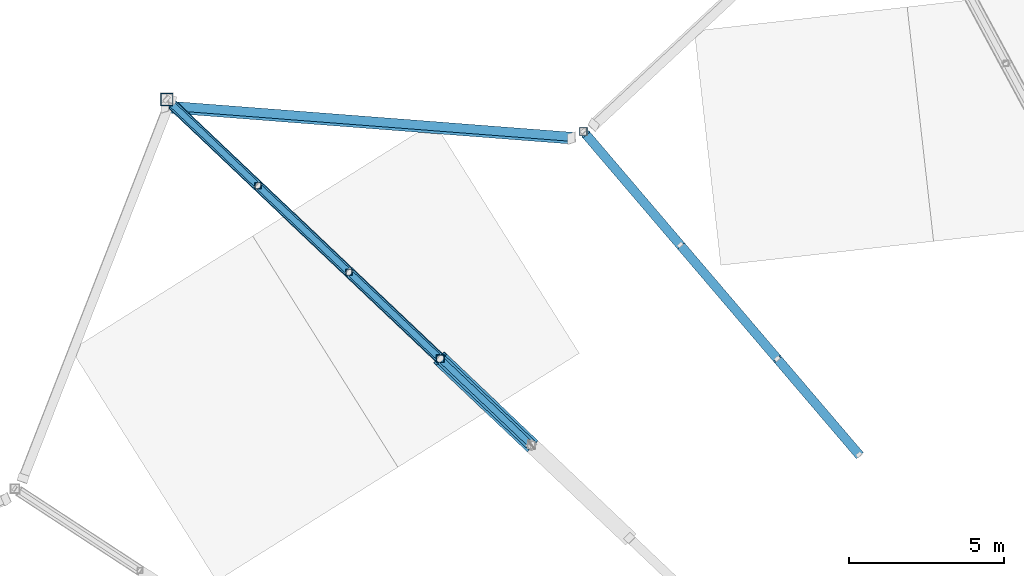
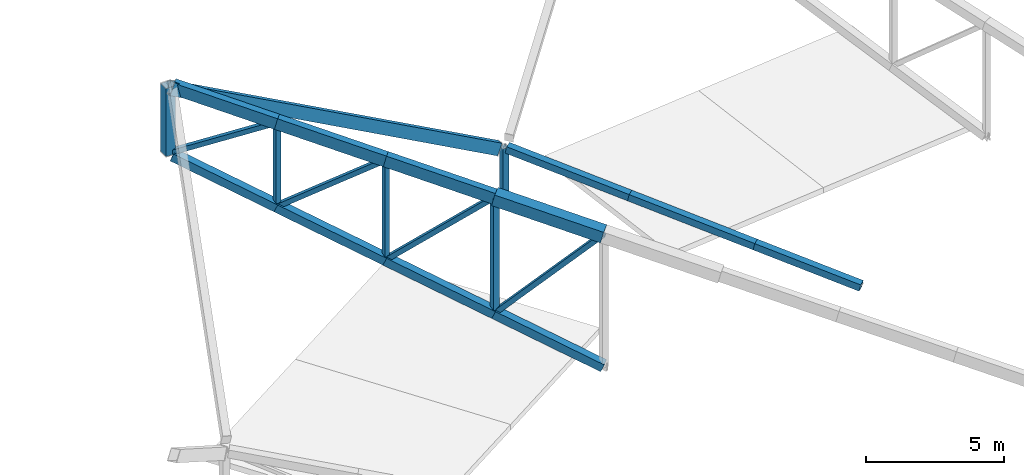
# One storey, part 76 of 188: 20 members, 1 beam.
"""IFC4 building model written with IfcOpenShell, lengths in metres."""

import ifcopenshell
import ifcopenshell.guid

model = None  # the IFC model being written
_history = None  # IfcOwnerHistory: only IFC2X3 demands one
_inside = {}  # id of a spatial element -> (the spatial element, [elements in it])
_under = {}  # id of a project, library or spatial element -> (it, [spatial elements below it])
_declared = {}  # id of a project -> (the project, [libraries it declares])
_typed = {}  # id of a type object -> (the type object, [elements of that type])
_made_of = {}  # id of a material, layer set ... -> (it, [elements and type objects made of it])


def new_model(schema):
    """Start an empty IFC model of exactly this schema.

    Asked for "IFC4X3", IfcOpenShell would pick the latest addendum, in which some entities
    have other attributes; the version numbers below select the first issue.
    IFC2X3 requires an IfcOwnerHistory on every rooted entity: one is made here for all.
    """
    global model, _history
    if schema == "IFC4X3":
        model = ifcopenshell.file(schema_version=(4, 3, 0, 0))
    else:
        model = ifcopenshell.file(schema=schema)
    _inside.clear()
    _under.clear()
    _declared.clear()
    _typed.clear()
    _made_of.clear()
    _history = None
    if model.schema == "IFC2X3":
        org = make("IfcOrganization", Name="unknown")
        user = make(
            "IfcPersonAndOrganization",
            ThePerson=make("IfcPerson", FamilyName="unknown"),
            TheOrganization=org,
        )
        app = make(
            "IfcApplication",
            ApplicationDeveloper=org,
            Version="unknown",
            ApplicationFullName="unknown",
            ApplicationIdentifier="unknown",
        )
        _history = make(
            "IfcOwnerHistory",
            OwningUser=user,
            OwningApplication=app,
            ChangeAction="ADDED",
            CreationDate=0,
        )
    return model


def make(cls, **values):
    """One entity of the class cls with the attributes given. An attribute that is None is left unset."""
    return model.create_entity(
        cls, **{name: value for name, value in values.items() if value is not None}
    )


def rooted(cls, **values):
    """An entity with a GlobalId (a new one), such as an element, a storey or a relation."""
    return make(cls, GlobalId=ifcopenshell.guid.new(), OwnerHistory=_history, **values)


def si_unit(unit_type, name, prefix=None):
    """IfcSIUnit, for example si_unit("LENGTHUNIT", "METRE", prefix="MILLI")."""
    return make("IfcSIUnit", UnitType=unit_type, Prefix=prefix, Name=name)


def assignment(units):
    """IfcUnitAssignment: the units of a project."""
    return None if units is None else make("IfcUnitAssignment", Units=units)


def point(xyz):
    """IfcCartesianPoint."""
    return None if xyz is None else make("IfcCartesianPoint", Coordinates=xyz)


def direction(xyz):
    """IfcDirection."""
    return None if xyz is None else make("IfcDirection", DirectionRatios=xyz)


def frame(location, z_axis=None, x_axis=None):
    """IfcAxis2Placement3D, a coordinate frame: its origin and axes. An axis left out is left unset."""
    return make(
        "IfcAxis2Placement3D",
        Location=point(location),
        Axis=direction(z_axis),
        RefDirection=direction(x_axis),
    )


def frame_2d(location, x_axis=None):
    """IfcAxis2Placement2D, a coordinate frame in the plane: its origin and x axis."""
    return make(
        "IfcAxis2Placement2D", Location=point(location), RefDirection=direction(x_axis)
    )


def origin():
    """The frame at (0, 0, 0) with its axes left unset."""
    return frame((0.0, 0.0, 0.0))


def origin_2d():
    """The frame at (0, 0) in the plane with its x axis left unset."""
    return frame_2d((0.0, 0.0))


def place(relative_to, where):
    """IfcLocalPlacement: puts the frame where relative to a parent placement (None: the world)."""
    return make(
        "IfcLocalPlacement", PlacementRelTo=relative_to, RelativePlacement=where
    )


def context(
    kind, dimensions, precision=None, world=None, true_north=None, identifier=None
):
    """IfcGeometricRepresentationContext, for example the 3D "Model" context."""
    return make(
        "IfcGeometricRepresentationContext",
        ContextIdentifier=identifier,
        ContextType=kind,
        CoordinateSpaceDimension=dimensions,
        Precision=precision,
        WorldCoordinateSystem=world,
        TrueNorth=true_north,
    )


def subcontext(parent, identifier, kind, view, scale=None):
    """IfcGeometricRepresentationSubContext, for example "Body" below "Model"."""
    return make(
        "IfcGeometricRepresentationSubContext",
        ContextIdentifier=identifier,
        ContextType=kind,
        ParentContext=parent,
        TargetScale=scale,
        TargetView=view,
    )


def project(units=None, contexts=None):
    """IfcProject with its units and contexts."""
    return rooted(
        "IfcProject",
        Name="project",
        RepresentationContexts=contexts,
        UnitsInContext=assignment(units),
    )


def spatial(cls, under=None, at=None, **own):
    """A site, building, storey or space (cls), placed at a placement, below another one or the project."""
    s = rooted(cls, ObjectPlacement=at, **own)
    if under is not None:
        _under.setdefault(under.id(), (under, []))[1].append(s)
    return s


def profile(cls, at=None, kind="AREA", **sizes):
    """A parametric profile (cls). Its sizes go by their IFC names, for example OverallWidth=200.0."""
    return make(cls, ProfileType=kind, Position=at, **sizes)


def hollow_rectangle(**sizes):
    """IfcRectangleHollowProfileDef."""
    return profile("IfcRectangleHollowProfileDef", **sizes)


def extrude(swept, where, along, depth):
    """IfcExtrudedAreaSolid: the profile swept, set in the frame where, extruded along a direction by depth."""
    return make(
        "IfcExtrudedAreaSolid",
        SweptArea=swept,
        Position=where,
        ExtrudedDirection=direction(along),
        Depth=depth,
    )


def shape(context_of_items, identifier, shape_type, items):
    """IfcShapeRepresentation: the items that make up one representation, for example the "Body"."""
    return make(
        "IfcShapeRepresentation",
        ContextOfItems=context_of_items,
        RepresentationIdentifier=identifier,
        RepresentationType=shape_type,
        Items=items,
    )


def material(Name=None, Category=None):
    """IfcMaterial."""
    return make("IfcMaterial", Name=Name, Category=Category)


def material_profile(
    of_material, cross_section, Name=None, Category=None, Priority=None
):
    """IfcMaterialProfile: a cross section and its material."""
    return make(
        "IfcMaterialProfile",
        Name=Name,
        Material=of_material,
        Profile=cross_section,
        Priority=Priority,
        Category=Category,
    )


def profile_set(profiles, Name=None, composite=None):
    """IfcMaterialProfileSet."""
    return make(
        "IfcMaterialProfileSet",
        Name=Name,
        MaterialProfiles=profiles,
        CompositeProfile=composite,
    )


def made_of(thing, what):
    """Note that an element or type object is made of a material, layer set ...; save() writes the relation."""
    if what is not None:
        _made_of.setdefault(what.id(), (what, []))[1].append(thing)
    return thing


def type_object(cls, material=None, **own):
    """A type object (cls), such as IfcWallType, which elements share."""
    return made_of(rooted(cls, **own), material)


def element(
    cls,
    number,
    at=None,
    inside=None,
    cuts=None,
    type_object=None,
    material=None,
    context=None,
    identifier="Body",
    shape_type=None,
    held_by="IfcProductDefinitionShape",
    body=None,
    shapes=None,
    **own,
):
    """One element of the class cls, such as IfcWall. Its Tag is "e" and its number.

    at: its placement. inside: the storey or other place that contains it. cuts: it is an
    opening in that element (IfcRelVoidsElement). A single representation is given by context,
    identifier, shape_type and body (its items); several are given by shapes. held_by: the class
    of the entity that holds the representations. save() writes the other relations.
    """
    e = rooted(cls, Tag="e%d" % number, ObjectPlacement=at, **own)
    if body is not None:
        shapes = [shape(context, identifier, shape_type, body)]
    if shapes is not None:
        e.Representation = make(held_by, Representations=shapes)
    if inside is not None:
        _inside.setdefault(inside.id(), (inside, []))[1].append(e)
    if cuts is not None:
        rooted(
            "IfcRelVoidsElement", RelatingBuildingElement=cuts, RelatedOpeningElement=e
        )
    if type_object is not None:
        _typed.setdefault(type_object.id(), (type_object, []))[1].append(e)
    return made_of(e, material)


def aggregate(whole, parts):
    """IfcRelAggregates: a whole, such as a stair, and the parts it consists of."""
    return rooted("IfcRelAggregates", RelatingObject=whole, RelatedObjects=parts)


def save(model, path):
    """Write the relations noted so far, then the file.

    IfcRelAggregates (storeys below a building ...), IfcRelContainedInSpatialStructure (elements
    in a storey), IfcRelDefinesByType, IfcRelAssociatesMaterial and IfcRelDeclares: one each for
    every whole, place, type object, material and project.
    """
    for whole, parts in _under.values():
        aggregate(whole, parts)
    for where, things in _inside.values():
        rooted(
            "IfcRelContainedInSpatialStructure",
            RelatedElements=things,
            RelatingStructure=where,
        )
    for kind, things in _typed.values():
        rooted("IfcRelDefinesByType", RelatedObjects=things, RelatingType=kind)
    for what, things in _made_of.values():
        rooted("IfcRelAssociatesMaterial", RelatedObjects=things, RelatingMaterial=what)
    for by, libraries in _declared.values():
        rooted("IfcRelDeclares", RelatingContext=by, RelatedDefinitions=libraries)
    model.write(path)


model = new_model("IFC4")

# Units and contexts
model_context = context("Model", 3, precision=1e-05, world=origin(), true_north=direction((0.0, 1.0)))
body_context = subcontext(model_context, "Body", "Model", "MODEL_VIEW")
ifc_project = project(units=[si_unit("LENGTHUNIT", "METRE"), si_unit("AREAUNIT", "SQUARE_METRE"), si_unit("VOLUMEUNIT", "CUBIC_METRE"), si_unit("PLANEANGLEUNIT", "RADIAN"), si_unit("MASSUNIT", "GRAM", prefix="KILO")], contexts=[model_context])

# Site, building, storey
site_placement = place(None, origin())
site = spatial("IfcSite", under=ifc_project, at=site_placement, CompositionType="ELEMENT")
building_placement = place(site_placement, origin())
building = spatial("IfcBuilding", under=site, at=building_placement, Name="Meseta Stadium", CompositionType="ELEMENT")
storey_placement = place(building_placement, frame((0.0, 0.0, 30.0)))
storey = spatial("IfcBuildingStorey", under=building, at=storey_placement, Name="ROOF", CompositionType="ELEMENT", Elevation=30.0)

# Beam
ifc_material_1 = material(Name="Steel S355", Category="steel")
ifc_material_profile_1 = material_profile(ifc_material_1, hollow_rectangle(XDim=0.300048828125, YDim=0.5, WallThickness=0.01611328125, at=origin_2d()), Name="RHS 500x300x16")
ifc_profile_set_1 = profile_set([ifc_material_profile_1], Name="Steel S355")
beam_type = type_object("IfcBeamType", Name="RHS 500x300x16 rim ring beam", PredefinedType="BEAM", material=ifc_profile_set_1)
beam_placement = place(storey_placement, frame((-62.43994140625, 95.65771484375, 3.81005859375), z_axis=(-0.889953759025, 0.068685420863, 0.45084877704), x_axis=(0.003101078843, -0.987659110694, 0.156588199982)))
element("IfcBeam", 1, at=beam_placement, inside=storey, type_object=beam_type, Name="RIM RING BEAM 24", PredefinedType="BEAM", context=body_context, shape_type="SweptSolid", body=[
    extrude(hollow_rectangle(XDim=0.300048828125, YDim=0.5, WallThickness=0.01611328125, at=origin_2d()), origin(), (0.0, 0.0, 1.0), 14.69775390625),
])

# Members
ifc_material_2 = material(Name="Steel S355", Category="steel")
ifc_material_profile_2 = material_profile(ifc_material_2, hollow_rectangle(XDim=0.300048828125, YDim=0.5, WallThickness=0.01611328125, at=origin_2d()), Name="RHS 500x300x16")
ifc_profile_set_2 = profile_set([ifc_material_profile_2], Name="Steel S355")
member_type_1 = type_object("IfcMemberType", Name="RHS 500x300x16 top chord", PredefinedType="CHORD", material=ifc_profile_set_2)
member_1_placement = place(storey_placement, frame((-66.6669921875, 88.555419921875, 7.4619140625), z_axis=(-0.704920781954, 0.668516972757, 0.237005798041), x_axis=(-0.688122805665, -0.725594242207, 0.0)))
element("IfcMember", 2, at=member_1_placement, inside=storey, type_object=member_type_1, Name="ROOF TRUSS RT-24 top chord", PredefinedType="CHORD", context=body_context, shape_type="SweptSolid", body=[
    extrude(hollow_rectangle(XDim=0.300048828125, YDim=0.5, WallThickness=0.01611328125, at=origin_2d()), origin(), (0.0, 0.0, 1.0), 4.164794921875),
])
member_2_placement = place(storey_placement, frame((-69.602783203125, 91.339599609375, 8.448974609375), z_axis=(-0.704912854555, 0.668512481806, 0.237042040896), x_axis=(-0.688124446124, -0.725592686461, 0.0)))
element("IfcMember", 3, at=member_2_placement, inside=storey, type_object=member_type_1, Name="ROOF TRUSS RT-24 top chord", PredefinedType="CHORD", context=body_context, shape_type="SweptSolid", body=[
    extrude(hollow_rectangle(XDim=0.300048828125, YDim=0.5, WallThickness=0.01611328125, at=origin_2d()), origin(), (0.0, 0.0, 1.0), 4.1650390625),
])
member_3_placement = place(storey_placement, frame((-72.538818359375, 94.1240234375, 9.436279296875), z_axis=(-0.704844658087, 0.668577207784, 0.237062281264), x_axis=(-0.688194569512, -0.725526177676, 0.0)))
element("IfcMember", 4, at=member_3_placement, inside=storey, type_object=member_type_1, Name="ROOF TRUSS RT-24 top chord", PredefinedType="CHORD", context=body_context, shape_type="SweptSolid", body=[
    extrude(hollow_rectangle(XDim=0.300048828125, YDim=0.5, WallThickness=0.01611328125, at=origin_2d()), origin(), (0.0, 0.0, 1.0), 3.96484375),
])
ifc_material_3 = material(Name="Steel S355", Category="steel")
ifc_material_profile_3 = material_profile(ifc_material_3, hollow_rectangle(XDim=0.199951171875, YDim=0.199951171875, WallThickness=0.008056640625, at=origin_2d()), Name="SHS 200x200x8")
ifc_profile_set_3 = profile_set([ifc_material_profile_3], Name="Steel S355")
member_type_2 = type_object("IfcMemberType", Name="SHS 200x200x8 diagonal", PredefinedType="BRACE", material=ifc_profile_set_3)
member_4_placement = place(storey_placement, frame((-63.731201171875, 85.77099609375, 6.474609375), z_axis=(-0.50803522166, 0.481841305866, -0.713953198406), x_axis=(-0.688154572164, -0.725564114886, 0.0)))
element("IfcMember", 5, at=member_4_placement, inside=storey, type_object=member_type_2, Name="ROOF TRUSS RT-24 diagonal", PredefinedType="BRACE", context=body_context, shape_type="SweptSolid", body=[
    extrude(hollow_rectangle(XDim=0.199951171875, YDim=0.199951171875, WallThickness=0.008056640625, at=origin_2d()), origin(), (0.0, 0.0, 1.0), 5.77880859375),
])
member_5_placement = place(storey_placement, frame((-66.6669921875, 88.555419921875, 7.4619140625), z_axis=(-0.554056851625, 0.52544401962, -0.645700849785), x_axis=(-0.688122805665, -0.725594242207, 0.0)))
element("IfcMember", 6, at=member_5_placement, inside=storey, type_object=member_type_2, Name="ROOF TRUSS RT-24 diagonal", PredefinedType="BRACE", context=body_context, shape_type="SweptSolid", body=[
    extrude(hollow_rectangle(XDim=0.199951171875, YDim=0.199951171875, WallThickness=0.008056640625, at=origin_2d()), origin(), (0.0, 0.0, 1.0), 5.298828125),
])
member_6_placement = place(storey_placement, frame((-69.602783203125, 91.339599609375, 8.448974609375), z_axis=(-0.60239030264, 0.571284001465, -0.55745897872), x_axis=(-0.688124446124, -0.725592686461, 0.0)))
element("IfcMember", 7, at=member_6_placement, inside=storey, type_object=member_type_2, Name="ROOF TRUSS RT-24 diagonal", PredefinedType="BRACE", context=body_context, shape_type="SweptSolid", body=[
    extrude(hollow_rectangle(XDim=0.199951171875, YDim=0.199951171875, WallThickness=0.008056640625, at=origin_2d()), origin(), (0.0, 0.0, 1.0), 4.8740234375),
])
member_7_placement = place(storey_placement, frame((-72.538818359375, 94.1240234375, 9.436279296875), z_axis=(-0.649631692531, 0.616137168675, -0.445369120435), x_axis=(-0.688154572164, -0.725564114886, 0.0)))
element("IfcMember", 8, at=member_7_placement, inside=storey, type_object=member_type_2, Name="ROOF TRUSS RT-24 diagonal", PredefinedType="BRACE", context=body_context, shape_type="SweptSolid", body=[
    extrude(hollow_rectangle(XDim=0.199951171875, YDim=0.199951171875, WallThickness=0.008056640625, at=origin_2d()), origin(), (0.0, 0.0, 1.0), 4.51904296875),
])
ifc_material_4 = material(Name="Steel S355", Category="steel")
ifc_material_profile_4 = material_profile(ifc_material_4, hollow_rectangle(XDim=0.199951171875, YDim=0.199951171875, WallThickness=0.008056640625, at=origin_2d()), Name="SHS 200x200x8")
ifc_profile_set_4 = profile_set([ifc_material_profile_4], Name="Steel S355")
member_type_3 = type_object("IfcMemberType", Name="SHS 200x200x8 post", PredefinedType="POST", material=ifc_profile_set_4)
member_8_placement = place(storey_placement, frame((-69.602783203125, 91.339599609375, 4.04052734375), z_axis=(0.0, 0.0, 1.0), x_axis=(1.0, 0.0, 0.0)))
element("IfcMember", 9, at=member_8_placement, inside=storey, type_object=member_type_3, Name="ROOF TRUSS RT-24 post", PredefinedType="POST", context=body_context, shape_type="SweptSolid", body=[
    extrude(hollow_rectangle(XDim=0.199951171875, YDim=0.199951171875, WallThickness=0.008056640625, at=origin_2d()), origin(), (0.0, 0.0, 1.0), 4.408447265625),
])
member_9_placement = place(storey_placement, frame((-72.538818359375, 94.1240234375, 5.73193359375), z_axis=(0.0, 0.0, 1.0), x_axis=(1.0, 0.0, 0.0)))
element("IfcMember", 10, at=member_9_placement, inside=storey, type_object=member_type_3, Name="ROOF TRUSS RT-24 post", PredefinedType="POST", context=body_context, shape_type="SweptSolid", body=[
    extrude(hollow_rectangle(XDim=0.199951171875, YDim=0.199951171875, WallThickness=0.008056640625, at=origin_2d()), origin(), (0.0, 0.0, 1.0), 3.704345703125),
])
ifc_material_5 = material(Name="Steel S355", Category="steel")
ifc_material_profile_5 = material_profile(ifc_material_5, hollow_rectangle(XDim=0.25, YDim=0.25, WallThickness=0.010009765625, at=origin_2d()), Name="SHS 250x250x10")
ifc_profile_set_5 = profile_set([ifc_material_profile_5], Name="Steel S355")
member_type_4 = type_object("IfcMemberType", Name="SHS 250x250x10 post", PredefinedType="POST", material=ifc_profile_set_5)
member_10_placement = place(storey_placement, frame((-66.6669921875, 88.555419921875, 2.348876953125), z_axis=(0.0, 0.0, 1.0), x_axis=(1.0, 0.0, 0.0)))
element("IfcMember", 11, at=member_10_placement, inside=storey, type_object=member_type_4, Name="ROOF TRUSS RT-24 post", PredefinedType="POST", context=body_context, shape_type="SweptSolid", body=[
    extrude(hollow_rectangle(XDim=0.25, YDim=0.25, WallThickness=0.010009765625, at=origin_2d()), origin(), (0.0, 0.0, 1.0), 5.113037109375),
])
ifc_material_6 = material(Name="Steel S355", Category="steel")
ifc_material_profile_6 = material_profile(ifc_material_6, hollow_rectangle(XDim=0.25, YDim=0.25, WallThickness=0.010009765625, at=origin_2d()), Name="SHS 250x250x10")
ifc_profile_set_6 = profile_set([ifc_material_profile_6], Name="Steel S355")
member_type_5 = type_object("IfcMemberType", Name="SHS 250x250x10 rim post", PredefinedType="POST", material=ifc_profile_set_6)
member_11_placement = place(storey_placement, frame((-62.051513671875, 95.872802734375, 1.31591796875), z_axis=(0.0, 0.0, 1.0), x_axis=(1.0, 0.0, 0.0)))
element("IfcMember", 12, at=member_11_placement, inside=storey, type_object=member_type_5, Name="ROOF TRUSS RT-23 post", PredefinedType="POST", context=body_context, shape_type="SweptSolid", body=[
    extrude(hollow_rectangle(XDim=0.25, YDim=0.25, WallThickness=0.010009765625, at=origin_2d()), origin(), (0.0, 0.0, 1.0), 2.300048828125),
])
ifc_material_7 = material(Name="Steel S355", Category="steel")
ifc_material_profile_7 = material_profile(ifc_material_7, hollow_rectangle(XDim=0.300048828125, YDim=0.300048828125, WallThickness=0.010009765625, at=origin_2d()), Name="SHS 300x300x10")
ifc_profile_set_7 = profile_set([ifc_material_profile_7], Name="Steel S355")
member_type_6 = type_object("IfcMemberType", Name="SHS 300x300x10 top chord", PredefinedType="CHORD", material=ifc_profile_set_7)
member_12_placement = place(storey_placement, frame((-53.164794921875, 85.452392578125, 0.67333984375), z_axis=(-0.634431456669, 0.74389322208, 0.210046663703), x_axis=(-0.760867131587, -0.648907703816, 0.0)))
element("IfcMember", 13, at=member_12_placement, inside=storey, type_object=member_type_6, Name="ROOF TRUSS RT-23 top chord", PredefinedType="CHORD", context=body_context, shape_type="SweptSolid", body=[
    extrude(hollow_rectangle(XDim=0.300048828125, YDim=0.300048828125, WallThickness=0.010009765625, at=origin_2d()), origin(), (0.0, 0.0, 1.0), 4.153076171875),
])
member_13_placement = place(storey_placement, frame((-55.799560546875, 88.541748046875, 1.545654296875), z_axis=(-0.634405621934, 0.743905498885, 0.210081211887), x_axis=(-0.760885465409, -0.648886206148, 0.0)))
element("IfcMember", 14, at=member_13_placement, inside=storey, type_object=member_type_6, Name="ROOF TRUSS RT-23 top chord", PredefinedType="CHORD", context=body_context, shape_type="SweptSolid", body=[
    extrude(hollow_rectangle(XDim=0.300048828125, YDim=0.300048828125, WallThickness=0.010009765625, at=origin_2d()), origin(), (0.0, 0.0, 1.0), 4.927490234375),
])
member_14_placement = place(storey_placement, frame((-58.925537109375, 92.207275390625, 2.580810546875), z_axis=(-0.634399105865, 0.743902725869, 0.21011070635), x_axis=(-0.760887561781, -0.64888374793, 0.0)))
element("IfcMember", 15, at=member_14_placement, inside=storey, type_object=member_type_6, Name="ROOF TRUSS RT-23 top chord", PredefinedType="CHORD", context=body_context, shape_type="SweptSolid", body=[
    extrude(hollow_rectangle(XDim=0.300048828125, YDim=0.300048828125, WallThickness=0.010009765625, at=origin_2d()), origin(), (0.0, 0.0, 1.0), 4.802490234375),
])
ifc_material_8 = material(Name="Steel S355", Category="steel")
ifc_material_profile_8 = material_profile(ifc_material_8, hollow_rectangle(XDim=0.35009765625, YDim=0.35009765625, WallThickness=0.010009765625, at=origin_2d()), Name="SHS 350x350x10")
ifc_profile_set_8 = profile_set([ifc_material_profile_8], Name="Steel S355")
member_type_7 = type_object("IfcMemberType", Name="SHS 350x350x10 bottom chord", PredefinedType="CHORD", material=ifc_profile_set_8)
for number, where, z_axis, x_axis, name in (
    (16, (-63.731201171875, 85.77099609375, 0.657470703125), (-0.669429052406, 0.634913791492, 0.385680205827), (-0.688154572164, -0.725564114886, 0.0), "ROOF TRUSS RT-24 bottom chord"),
    (17, (-66.6669921875, 88.555419921875, 2.348876953125), (-0.669438338704, 0.634866928448, 0.385741226518), (-0.688122805665, -0.725594242207, 0.0), "ROOF TRUSS RT-24 bottom chord"),
):
    element("IfcMember", number, at=place(storey_placement, frame(where, z_axis=z_axis, x_axis=x_axis)), inside=storey, type_object=member_type_7, Name=name, PredefinedType="CHORD", context=body_context, shape_type="SweptSolid", body=[
        extrude(hollow_rectangle(XDim=0.35009765625, YDim=0.35009765625, WallThickness=0.010009765625, at=origin_2d()), origin(), (0.0, 0.0, 1.0), 4.385498046875),
    ])
member_15_placement = place(storey_placement, frame((-69.602783203125, 91.339599609375, 4.04052734375), z_axis=(-0.669459772876, 0.634890130521, 0.385665832902), x_axis=(-0.688124446124, -0.725592686461, 0.0)))
element("IfcMember", 18, at=member_15_placement, inside=storey, type_object=member_type_7, Name="ROOF TRUSS RT-24 bottom chord", PredefinedType="CHORD", context=body_context, shape_type="SweptSolid", body=[
    extrude(hollow_rectangle(XDim=0.35009765625, YDim=0.35009765625, WallThickness=0.010009765625, at=origin_2d()), origin(), (0.0, 0.0, 1.0), 4.3857421875),
])
member_16_placement = place(storey_placement, frame((-72.538818359375, 94.1240234375, 5.73193359375), z_axis=(-0.669392312695, 0.634919425208, 0.385734695351), x_axis=(-0.688177669316, -0.725542207907, 0.0)))
element("IfcMember", 19, at=member_16_placement, inside=storey, type_object=member_type_7, Name="ROOF TRUSS RT-24 bottom chord", PredefinedType="CHORD", context=body_context, shape_type="SweptSolid", body=[
    extrude(hollow_rectangle(XDim=0.35009765625, YDim=0.35009765625, WallThickness=0.010009765625, at=origin_2d()), origin(), (0.0, 0.0, 1.0), 4.185546875),
])
ifc_material_9 = material(Name="Steel S355", Category="steel")
ifc_material_profile_9 = material_profile(ifc_material_9, hollow_rectangle(XDim=0.39990234375, YDim=0.39990234375, WallThickness=0.01416015625, at=origin_2d()), Name="SHS 400x400x14.2")
ifc_profile_set_9 = profile_set([ifc_material_profile_9], Name="Steel S355")
member_type_8 = type_object("IfcMemberType", Name="SHS 400x400x14.2 rim post", PredefinedType="POST", material=ifc_profile_set_9)
member_17_placement = place(storey_placement, frame((-75.474609375, 96.908447265625, 7.423583984375), z_axis=(0.0, 0.0, 1.0), x_axis=(1.0, 0.0, 0.0)))
element("IfcMember", 20, at=member_17_placement, inside=storey, type_object=member_type_8, Name="ROOF TRUSS RT-24 post", PredefinedType="POST", context=body_context, shape_type="SweptSolid", body=[
    extrude(hollow_rectangle(XDim=0.39990234375, YDim=0.39990234375, WallThickness=0.01416015625, at=origin_2d()), origin(), (0.0, 0.0, 1.0), 3.0),
])
ifc_material_10 = material(Name="Steel S355", Category="steel")
ifc_material_profile_10 = material_profile(ifc_material_10, hollow_rectangle(XDim=0.5, YDim=0.5, WallThickness=0.01611328125, at=origin_2d()), Name="SHS 500x500x16")
ifc_profile_set_10 = profile_set([ifc_material_profile_10], Name="Steel S355")
member_type_9 = type_object("IfcMemberType", Name="SHS 500x500x16 top chord", PredefinedType="CHORD", material=ifc_profile_set_10)
member_18_placement = place(storey_placement, frame((-63.731201171875, 85.77099609375, 6.474609375), z_axis=(-0.704883363275, 0.668540104628, 0.237051835433), x_axis=(-0.688154572164, -0.725564114886, 0.0)))
element("IfcMember", 21, at=member_18_placement, inside=storey, type_object=member_type_9, Name="ROOF TRUSS RT-24 top chord", PredefinedType="CHORD", context=body_context, shape_type="SweptSolid", body=[
    extrude(hollow_rectangle(XDim=0.5, YDim=0.5, WallThickness=0.01611328125, at=origin_2d()), origin(), (0.0, 0.0, 1.0), 4.1650390625),
])

save(model, "model.ifc")
